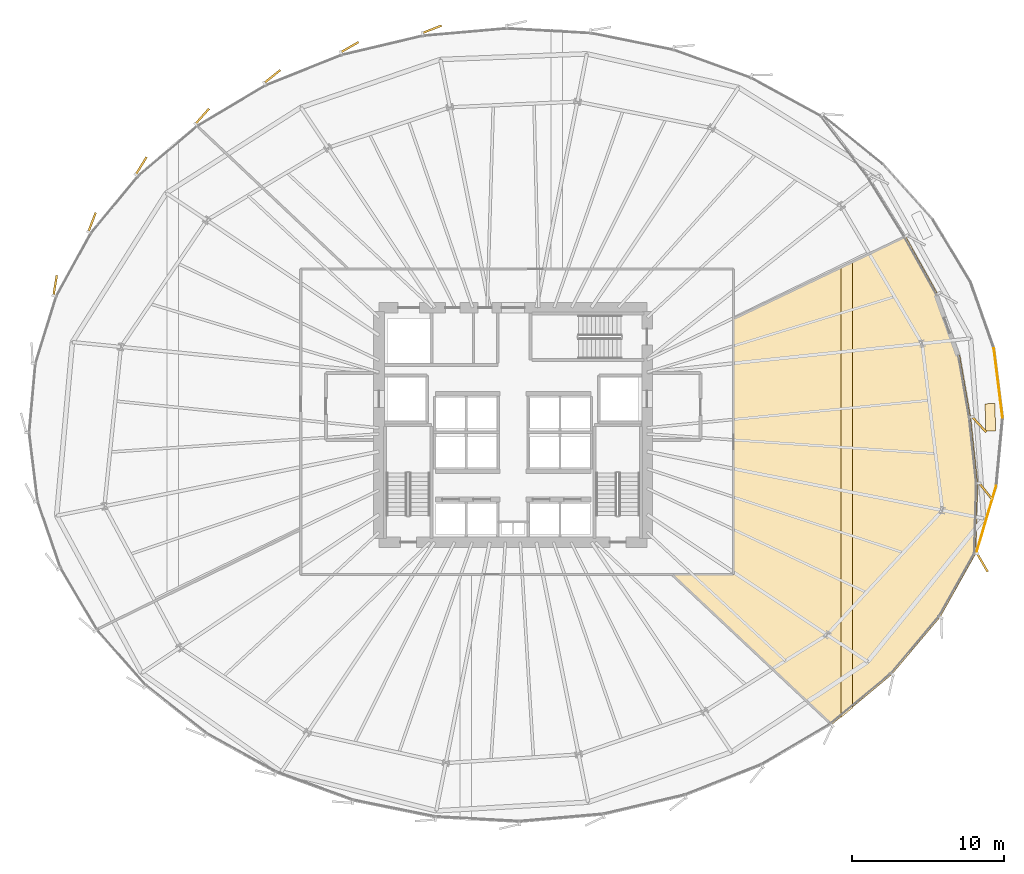
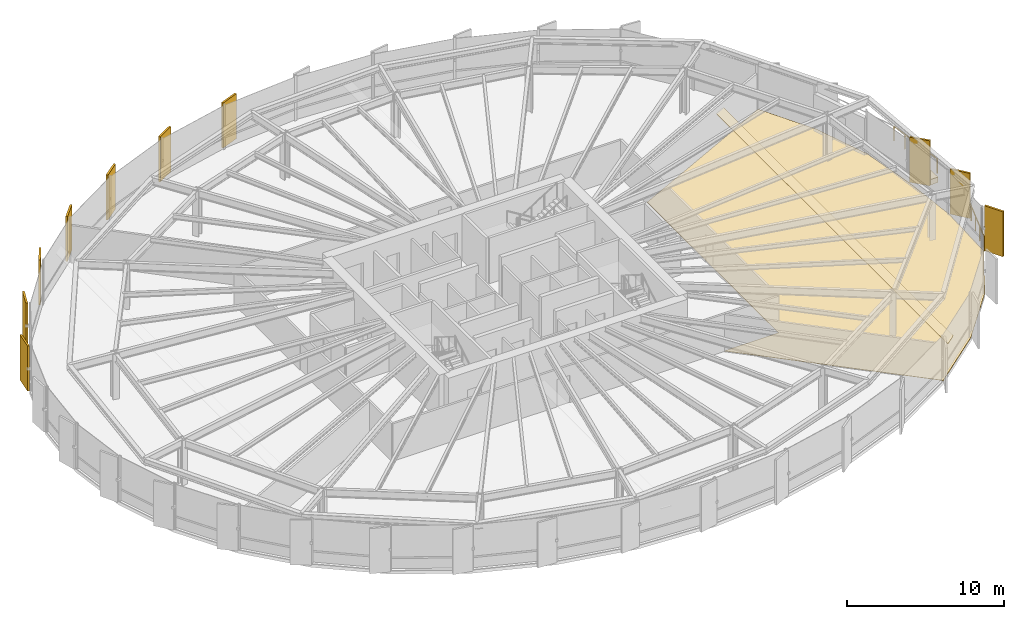
# One storey, part 37 of 39: 13 coverings, 2 railings.
"""IFC4 building model written with IfcOpenShell, lengths in metres."""

from ifc_helpers import new_model, si_unit, direction, frame, origin, origin_2d, place, context, subcontext, project, spatial, polyline, rectangle, circle, outline, extrude, source, transform, mapped, material, layer, layer_set, type_object, element, save


model = new_model("IFC4")

# Units and contexts
model_context = context("Model", 3, precision=1e-05, world=origin(), true_north=direction((0.0, 1.0)))
body_context = subcontext(model_context, "Body", "Model", "MODEL_VIEW")
ifc_project = project(units=[si_unit("LENGTHUNIT", "METRE"), si_unit("AREAUNIT", "SQUARE_METRE"), si_unit("VOLUMEUNIT", "CUBIC_METRE"), si_unit("PLANEANGLEUNIT", "RADIAN"), si_unit("MASSUNIT", "GRAM", prefix="KILO"), si_unit("THERMODYNAMICTEMPERATUREUNIT", "KELVIN")], contexts=[model_context])

# Site, building, storey
site_placement = place(None, origin())
site = spatial("IfcSite", under=ifc_project, at=site_placement, CompositionType="ELEMENT")
building_placement = place(site_placement, origin())
building = spatial("IfcBuilding", under=site, at=building_placement, Name="Kethvar Cultural Tower", CompositionType="ELEMENT")
storey_placement = place(building_placement, frame((0.0, 0.0, 33.39990234375)))
storey = spatial("IfcBuildingStorey", under=building, at=storey_placement, Name="L07", CompositionType="ELEMENT", Elevation=33.39990234375)

# Coverings
ifc_material_1 = material(Name="Acoustic Mineral Fibre Ceiling")
ifc_layer_1 = layer(ifc_material_1, 0.0400390625, Name="Acoustic Mineral Fibre Ceiling")
ifc_layer_set_1 = layer_set([ifc_layer_1], Name="Acoustic Mineral Fibre Ceiling (40 mm)")
covering_type_1 = type_object("IfcCoveringType", Name="CV-ACOUSTIC-CEIL", PredefinedType="CEILING", material=ifc_layer_set_1)
covering_1_placement = place(storey_placement, frame((0.0, 0.0, 2.340087890625)))
element("IfcCovering", 1, at=covering_1_placement, inside=storey, type_object=covering_type_1, Name="L07 Room 02 Acoustic Ceiling Panel", PredefinedType="CEILING", context=body_context, shape_type="SweptSolid", body=[
    extrude(outline(polyline([(68.340087890625, 8.5869140625), (68.340087890625, 38.173095703125), (69.090087890625, 38.533447265625), (69.090087890625, 9.21142578125), (68.340087890625, 8.5869140625)])), origin(), (0.0, 0.0, 1.0), 0.0400390625),
])
ifc_material_2 = material(Name="Architectural Oak Timber", Category="wood")
ifc_layer_2 = layer(ifc_material_2, 0.02490234375, Name="Architectural Oak Timber", Category="wood")
ifc_layer_set_2 = layer_set([ifc_layer_2], Name="Architectural Oak Timber (25 mm)")
covering_type_2 = type_object("IfcCoveringType", Name="CV-OAK-FLOOR", PredefinedType="FLOORING", material=ifc_layer_set_2)
covering_2_placement = place(storey_placement, origin())
element("IfcCovering", 2, at=covering_2_placement, inside=storey, type_object=covering_type_2, Name="L07 Room 02 Floor Finish", PredefinedType="FLOORING", context=body_context, shape_type="SweptSolid", body=[
    extrude(outline(polyline([(77.181640625, 19.34130859375), (74.845703125, 15.179931640625), (71.654296875, 11.3994140625), (67.726318359375, 8.127685546875), (57.28173828125, 17.9599609375), (61.28955078125, 17.97607421875), (61.2900390625, 34.74072265625), (72.588134765625, 40.170166015625), (74.70703125, 36.368408203125), (76.138427734375, 32.387939453125), (76.852783203125, 28.26953125), (77.31201171875, 23.96337890625), (77.181640625, 19.34130859375)])), origin(), (0.0, 0.0, 1.0), 0.025146484375),
])

# Railings
ifc_material_3 = material(Name="Steel S355J2", Category="steel")
railing_type = type_object("IfcRailingType", Name="RL-EXT-GUARD-1150", PredefinedType="BALUSTRADE", material=ifc_material_3)
railing_1_placement = place(storey_placement, frame((77.201416015625, 19.335693359375, 0.0)))
element("IfcRailing", 3, at=railing_1_placement, inside=storey, type_object=railing_type, Name="L07 Spiralling Terrace Balustrade 01", PredefinedType="BALUSTRADE", context=body_context, shape_type="SweptSolid", body=[
    extrude(circle(Radius=0.02392578125, at=origin_2d()), frame((0.0, 0.0, 1.1259765625), z_axis=(0.282666403138, 0.959218277837, 0.0), x_axis=(-0.959218277837, 0.282666403138, 0.0)), (0.0, 0.0, 1.0), 4.625244140625),
    extrude(circle(Radius=0.02099609375, at=origin_2d()), origin(), (0.0, 0.0, 1.0), 1.101806640625),
    extrude(circle(Radius=0.02099609375, at=origin_2d()), frame((0.326904296875, 1.109130859375, 0.0)), (0.0, 0.0, 1.0), 1.101806640625),
    extrude(circle(Radius=0.02099609375, at=origin_2d()), frame((0.65380859375, 2.21826171875, 0.0)), (0.0, 0.0, 1.0), 1.101806640625),
    extrude(circle(Radius=0.02099609375, at=origin_2d()), frame((0.98046875, 3.327392578125, 0.0)), (0.0, 0.0, 1.0), 1.101806640625),
    extrude(circle(Radius=0.02099609375, at=origin_2d()), frame((1.307373046875, 4.4365234375, 0.0)), (0.0, 0.0, 1.0), 1.101806640625),
])
railing_2_placement = place(storey_placement, frame((78.934326171875, 28.3046875, 0.0)))
element("IfcRailing", 4, at=railing_2_placement, inside=storey, type_object=railing_type, Name="L07 Spiralling Terrace Balustrade 03", PredefinedType="BALUSTRADE", context=body_context, shape_type="SweptSolid", body=[
    extrude(circle(Radius=0.02392578125, at=origin_2d()), frame((0.0, 0.0, 1.1259765625), z_axis=(-0.12468152588, 0.992196813694, 0.0), x_axis=(-0.992196813694, -0.12468152588, 0.0)), (0.0, 0.0, 1.0), 4.552734375),
    extrude(circle(Radius=0.02099609375, at=origin_2d()), origin(), (0.0, 0.0, 1.0), 1.101806640625),
    extrude(circle(Radius=0.02099609375, at=origin_2d()), frame((-0.141845703125, 1.12939453125, 0.0)), (0.0, 0.0, 1.0), 1.101806640625),
    extrude(circle(Radius=0.02099609375, at=origin_2d()), frame((-0.28369140625, 2.258544921875, 0.0)), (0.0, 0.0, 1.0), 1.101806640625),
    extrude(circle(Radius=0.02099609375, at=origin_2d()), frame((-0.42578125, 3.3876953125, 0.0)), (0.0, 0.0, 1.0), 1.101806640625),
    extrude(circle(Radius=0.02099609375, at=origin_2d()), frame((-0.567626953125, 4.51708984375, 0.0)), (0.0, 0.0, 1.0), 1.101806640625),
])

# Coverings
ifc_material_4 = material(Name="Extruded Architectural Terracotta", Category="masonry")
ifc_layer_3 = layer(ifc_material_4, 0.135009765625, Name="Extruded Architectural Terracotta", Category="masonry")
ifc_layer_set_3 = layer_set([ifc_layer_3], Name="Extruded Architectural Terracotta (135 mm)")
covering_type_3 = type_object("IfcCoveringType", Name="Terracotta Facade Fin FIN-01", PredefinedType="CLADDING", material=ifc_layer_set_3)
shared_shape_1 = source(origin(), body_context, "Body", "SweptSolid", [
    extrude(rectangle(XDim=1.35009765625, YDim=0.135009765625, at=origin_2d()), origin(), (0.0, 0.0, 1.0), 3.510009765625),
])
for number, where, z_axis, x_axis, name in (
    (5, (77.4013671875, 27.8310546875, 0.02001953125), (0.0, 0.0, 1.0), (0.677261296414, -0.735742574804, 0.0), "L07 Vertical Terracotta Fin 1.1"),
    (6, (41.469482421875, 53.77685546875, 0.02001953125), (0.0, 0.0, 1.0), (0.931754612695, 0.363088614146, 0.0), "L07 Vertical Terracotta Fin 3.3"),
    (7, (36.06494140625, 52.600341796875, 0.02001953125), (0.0, 0.0, 1.0), (0.867591923867, 0.49727683803, 0.0), "L07 Vertical Terracotta Fin 3.4"),
    (8, (30.98779296875, 50.677001953125, 0.02001953125), (0.0, 0.0, 1.0), (0.779775226961, 0.62605957817, 0.0), "L07 Vertical Terracotta Fin 3.5"),
    (9, (26.388427734375, 48.0654296875, 0.02001953125), (0.0, 0.0, 1.0), (0.666011867434, 0.745941145424, 0.0), "L07 Vertical Terracotta Fin 3.6"),
    (10, (22.376220703125, 44.810791015625, 0.02001953125), (0.0, 0.0, 1.0), (0.52398590597, 0.851726934143, 0.0), "L07 Vertical Terracotta Fin 4.1"),
    (11, (19.15087890625, 41.10498046875, 0.02001953125), (0.0, 0.0, 1.0), (0.353964592652, 0.935258823614, 0.0), "L07 Vertical Terracotta Fin 4.2"),
    (12, (16.7294921875, 36.958984375, 0.02001953125), (0.0, 0.0, 1.0), (0.159881187692, 0.987136265073, 0.0), "L07 Vertical Terracotta Fin 4.3"),
    (13, (77.618896484375, 18.7490234375, 0.02001953125), (0.0, 0.0, 1.0), (0.500151142331, -0.865938124132, 0.0), "L07 Vertical Terracotta Fin 7.3"),
    (14, (77.83251953125, 23.445068359375, 0.02001953125), (0.0, 0.0, 1.0), (0.623743186154, -0.781629348046, 0.0), "L07 Vertical Terracotta Fin 7.4"),
):
    element("IfcCovering", number, at=place(storey_placement, frame(where, z_axis=z_axis, x_axis=x_axis)), inside=storey, type_object=covering_type_3, Name=name, PredefinedType="CLADDING", context=body_context, shape_type="MappedRepresentation", body=[
        mapped(shared_shape_1, transform((0.0, 0.0, 0.0), scale=1.0)),
    ])
ifc_layer_4 = layer(ifc_material_4, 0.419921875, Name="Extruded Architectural Terracotta", Category="masonry")
ifc_layer_set_4 = layer_set([ifc_layer_4], Name="Extruded Architectural Terracotta (420 mm)")
covering_type_4 = type_object("IfcCoveringType", Name="Terracotta Terrace Planter PLANTER-01", PredefinedType="USERDEFINED", material=ifc_layer_set_4)
shared_shape_2 = source(origin(), body_context, "Body", "SweptSolid", [
    extrude(rectangle(XDim=1.800048828125, YDim=0.64990234375, at=origin_2d()), origin(), (0.0, 0.0, 1.0), 0.419921875),
])
covering_3_placement = place(storey_placement, frame((78.134521484375, 28.292236328125, 0.000244140625), z_axis=(0.0, 0.0, 1.0), x_axis=(-0.015707317312, 0.999876632482, 0.0)))
element("IfcCovering", 15, at=covering_3_placement, inside=storey, type_object=covering_type_4, Name="L07 Sky Terrace Planter Box A", ObjectType="PLANTER", PredefinedType="USERDEFINED", context=body_context, shape_type="MappedRepresentation", body=[
    mapped(shared_shape_2, transform((0.0, 0.0, 0.0), scale=1.0)),
])

save(model, "model.ifc")
